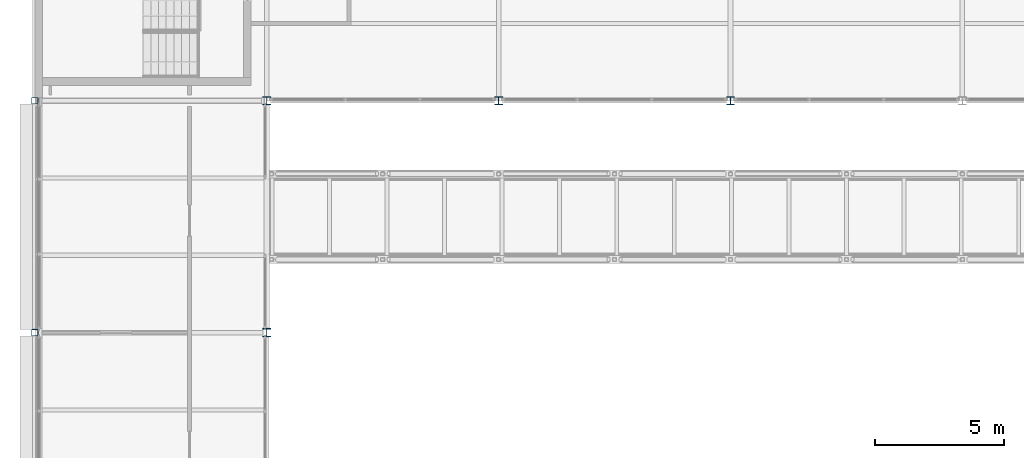
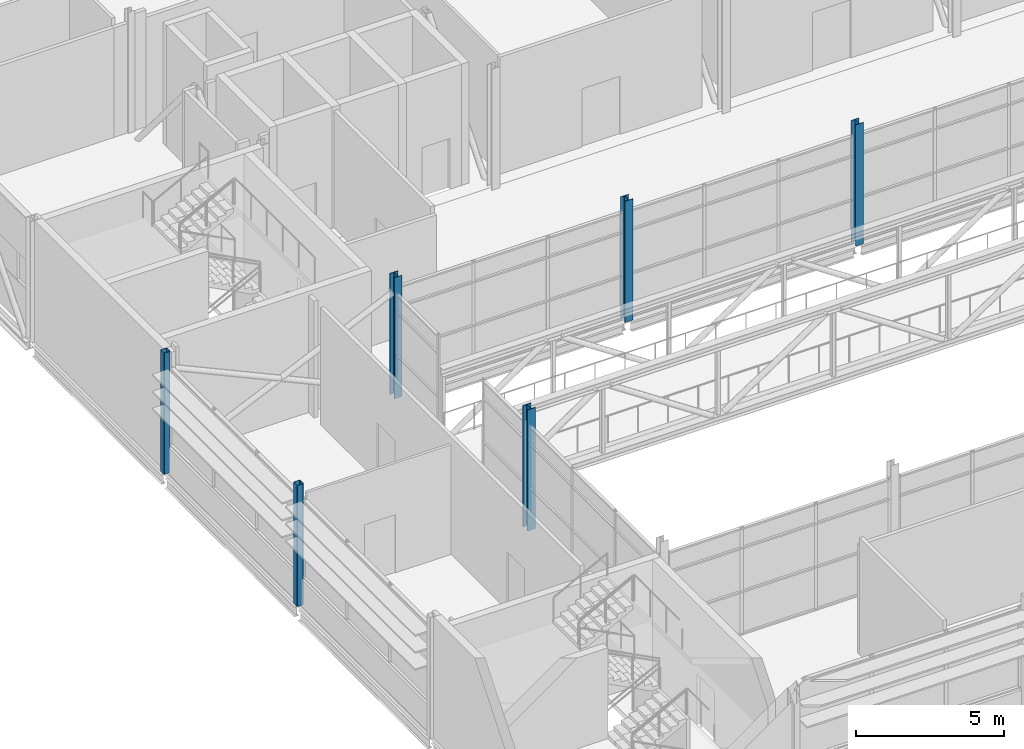
# One storey, part 2 of 94: 6 columns.
"""IFC4 building model written with IfcOpenShell, lengths in metres."""

from ifc_helpers import new_model, si_unit, direction, frame, origin, origin_2d, place, context, subcontext, project, spatial, hollow_rectangle, i_section, extrude, material, material_profile, profile_set, type_object, element, save


model = new_model("IFC4")

# Units and contexts
model_context = context("Model", 3, precision=1e-05, world=origin(), true_north=direction((0.0, 1.0)))
body_context = subcontext(model_context, "Body", "Model", "MODEL_VIEW")
ifc_project = project(units=[si_unit("LENGTHUNIT", "METRE"), si_unit("AREAUNIT", "SQUARE_METRE"), si_unit("VOLUMEUNIT", "CUBIC_METRE"), si_unit("PLANEANGLEUNIT", "RADIAN"), si_unit("MASSUNIT", "GRAM", prefix="KILO")], contexts=[model_context])

# Site, building, storey
site_placement = place(None, origin())
site = spatial("IfcSite", under=ifc_project, at=site_placement, CompositionType="ELEMENT")
building_placement = place(site_placement, origin())
building = spatial("IfcBuilding", under=site, at=building_placement, Name="Shorebreak Coast Museum", CompositionType="ELEMENT")
storey_placement = place(building_placement, frame((0.0, 0.0, 31.0)))
storey = spatial("IfcBuildingStorey", under=building, at=storey_placement, Name="L05", CompositionType="ELEMENT", Elevation=31.0)

# Columns
ifc_material_1 = material(Name="Steel Grade C450L0", Category="steel")
ifc_material_profile_1 = material_profile(ifc_material_1, hollow_rectangle(XDim=0.25, YDim=0.25, WallThickness=0.009033203125, InnerFilletRadius=0.013427734375, OuterFilletRadius=0.0224609375, at=origin_2d()), Name="250x250x9.0 SHS")
ifc_profile_set_1 = profile_set([ifc_material_profile_1], Name="Steel Grade C450L0")
column_type_1 = type_object("IfcColumnType", Name="Column 250x250x9.0 SHS", PredefinedType="COLUMN", material=ifc_profile_set_1)
for number, where, z_axis, x_axis, name in (
    (1, (54.0, 72.0, 0.0), (0.0, 0.0, 1.0), (1.0, 0.0, 0.0), "Column L05 7J"),
    (2, (54.0, 81.0, 0.0), (0.0, 0.0, 1.0), (1.0, 0.0, 0.0), "Column L05 7K"),
):
    element("IfcColumn", number, at=place(storey_placement, frame(where, z_axis=z_axis, x_axis=x_axis)), inside=storey, type_object=column_type_1, Name=name, PredefinedType="COLUMN", context=body_context, shape_type="SweptSolid", body=[
        extrude(hollow_rectangle(XDim=0.25, YDim=0.25, WallThickness=0.009033203125, InnerFilletRadius=0.013427734375, OuterFilletRadius=0.0224609375, at=origin_2d()), origin(), (0.0, 0.0, 1.0), 5.0),
    ])
ifc_material_2 = material(Name="Steel Grade 300", Category="steel")
ifc_material_profile_2 = material_profile(ifc_material_2, i_section(OverallWidth=0.306884765625, OverallDepth=0.314697265625, WebThickness=0.011962890625, FlangeThickness=0.018798828125, FilletRadius=0.0166015625, at=origin_2d()), Name="310UC118")
ifc_profile_set_2 = profile_set([ifc_material_profile_2], Name="Steel Grade 300")
column_type_2 = type_object("IfcColumnType", Name="Column 310UC118", PredefinedType="COLUMN", material=ifc_profile_set_2)
for number, where, z_axis, x_axis, name in (
    (3, (63.0, 81.0, 0.0), (0.0, 0.0, 1.0), (1.0, 0.0, 0.0), "Column L05 8K"),
    (4, (72.0, 81.0, 0.0), (0.0, 0.0, 1.0), (1.0, 0.0, 0.0), "Column L05 9K"),
    (5, (81.0, 81.0, 0.0), (0.0, 0.0, 1.0), (1.0, 0.0, 0.0), "Column L05 10K"),
):
    element("IfcColumn", number, at=place(storey_placement, frame(where, z_axis=z_axis, x_axis=x_axis)), inside=storey, type_object=column_type_2, Name=name, PredefinedType="COLUMN", context=body_context, shape_type="SweptSolid", body=[
        extrude(i_section(OverallWidth=0.306884765625, OverallDepth=0.314697265625, WebThickness=0.011962890625, FlangeThickness=0.018798828125, FilletRadius=0.0166015625, at=origin_2d()), origin(), (0.0, 0.0, 1.0), 5.0),
    ])
ifc_material_3 = material(Name="Steel Grade 300", Category="steel")
ifc_material_profile_3 = material_profile(ifc_material_3, i_section(OverallWidth=0.31103515625, OverallDepth=0.3271484375, WebThickness=0.015625, FlangeThickness=0.02490234375, FilletRadius=0.0166015625, at=origin_2d()), Name="310UC158")
ifc_profile_set_3 = profile_set([ifc_material_profile_3], Name="Steel Grade 300")
column_type_3 = type_object("IfcColumnType", Name="Column 310UC158", PredefinedType="COLUMN", material=ifc_profile_set_3)
column_placement = place(storey_placement, frame((63.0, 72.0, 0.0), z_axis=(0.0, 0.0, 1.0), x_axis=(1.0, 0.0, 0.0)))
element("IfcColumn", 6, at=column_placement, inside=storey, type_object=column_type_3, Name="Column L05 8J", PredefinedType="COLUMN", context=body_context, shape_type="SweptSolid", body=[
    extrude(i_section(OverallWidth=0.31103515625, OverallDepth=0.3271484375, WebThickness=0.015625, FlangeThickness=0.02490234375, FilletRadius=0.0166015625, at=origin_2d()), origin(), (0.0, 0.0, 1.0), 5.0),
])

save(model, "model.ifc")
